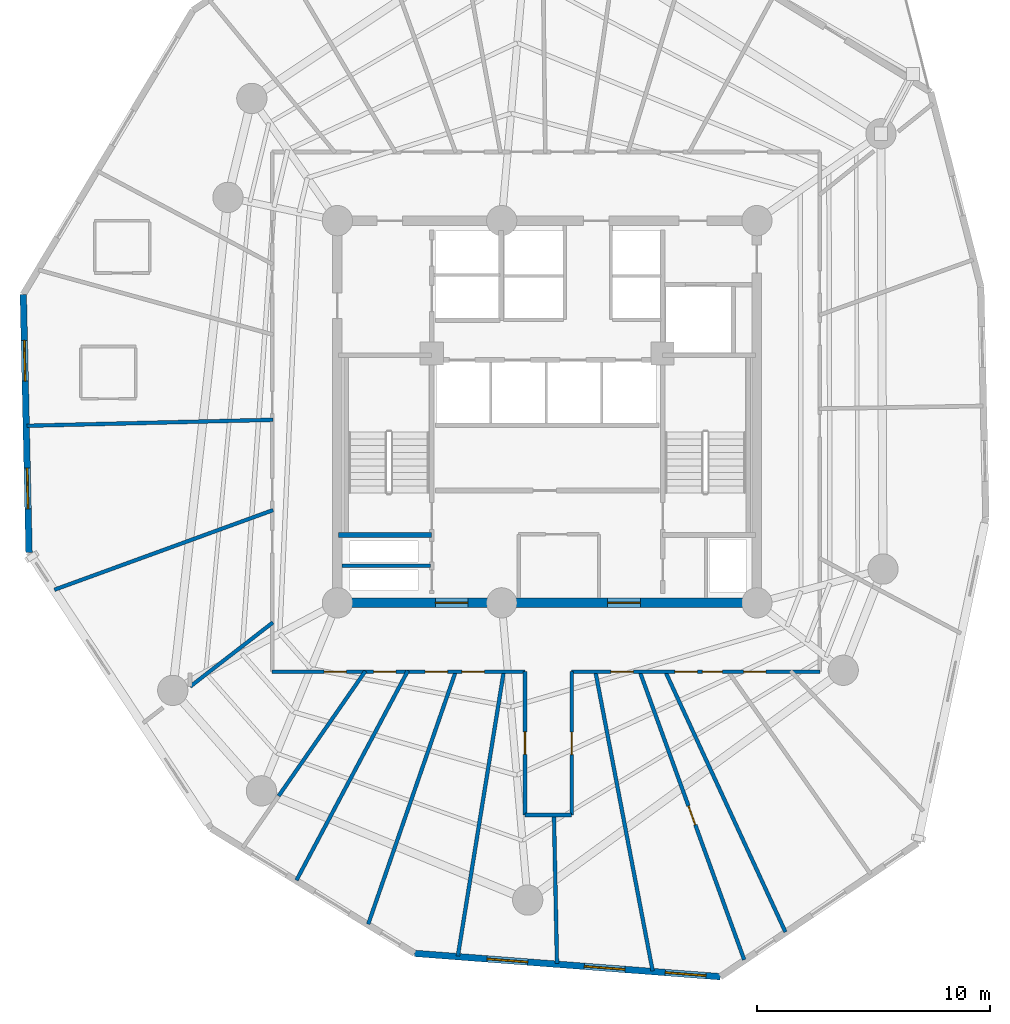
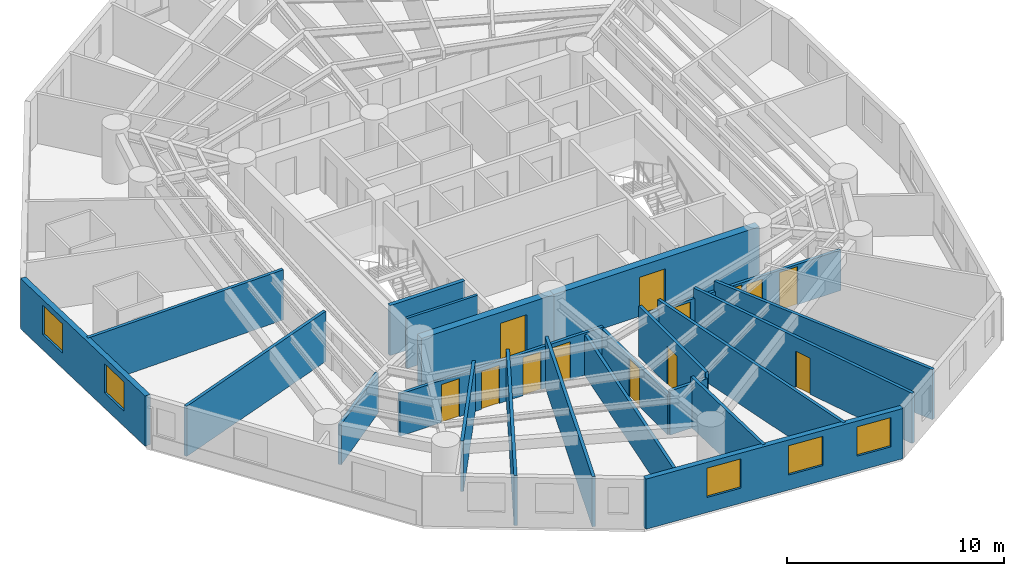
# One storey, part 3 of 9: 22 walls, 13 doors, 5 windows, 18 openings.
"""IFC4 building model written with IfcOpenShell, lengths in metres."""

from ifc_helpers import new_model, si_unit, direction, frame, frame_2d, origin, origin_with_axes, place, context, subcontext, project, spatial, rectangle, extrude, source, transform, mapped, material, layer, layer_set, type_object, element, fill, save


model = new_model("IFC4")

# Units and contexts
model_context = context("Model", 3, precision=1e-05, world=origin(), true_north=direction((0.0, 1.0)))
body_context = subcontext(model_context, "Body", "Model", "MODEL_VIEW")
ifc_project = project(units=[si_unit("LENGTHUNIT", "METRE"), si_unit("AREAUNIT", "SQUARE_METRE"), si_unit("VOLUMEUNIT", "CUBIC_METRE"), si_unit("PLANEANGLEUNIT", "RADIAN"), si_unit("MASSUNIT", "GRAM", prefix="KILO")], contexts=[model_context])

# Site, building, storey
site_placement = place(None, origin())
site = spatial("IfcSite", under=ifc_project, at=site_placement, CompositionType="ELEMENT")
building_placement = place(site_placement, origin())
building = spatial("IfcBuilding", under=site, at=building_placement, Name="Karkom Vertical University and Central Library", CompositionType="ELEMENT")
storey_placement = place(building_placement, frame((0.0, 0.0, 190.10009765625)))
storey = spatial("IfcBuildingStorey", under=building, at=storey_placement, Name="L55", CompositionType="ELEMENT", Elevation=190.10009765625)

# Wall, openings, windows
ifc_material_1 = material(Name="Brick-faced precast concrete C45/55", Category="masonry")
ifc_layer_1 = layer(ifc_material_1, 0.280029296875)
ifc_layer_set_1 = layer_set([ifc_layer_1], Name="Brick-faced precast concrete C45/55")
wall_type_1 = type_object("IfcWallType", Name="ENV-WL-BRK-280", PredefinedType="SOLIDWALL", material=ifc_layer_set_1)
wall_1_placement = place(storey_placement, frame((22.8125, 3.26025390625, 0.0), z_axis=(0.0, 0.0, 1.0), x_axis=(0.997092892989, -0.076195555985, 0.0)))
wall_1 = element("IfcWall", 1, at=wall_1_placement, inside=storey, type_object=wall_type_1, Name="Level 55 Brick-Faced Precast Facade Wall 03", PredefinedType="SOLIDWALL", context=body_context, shape_type="SweptSolid", body=[
    extrude(rectangle(XDim=13.15625, YDim=0.280029296875, at=frame_2d((6.578125, 0.0))), origin(), (0.0, 0.0, 1.0), 2.824951171875),
])
opening_1_placement = place(wall_1_placement, frame((3.117431640625, 0.0, 0.85009765625)))
opening_1 = element("IfcOpeningElement", 2, at=opening_1_placement, cuts=wall_1, Name="Opening WN-08", PredefinedType="OPENING", context=body_context, shape_type="SweptSolid", body=[
    extrude(rectangle(XDim=1.75, YDim=1.64990234375, at=frame_2d((0.875, 0.824951171875))), frame((0.0, 0.14990234375, 0.0), z_axis=(0.0, -1.0, 0.0), x_axis=(1.0, 0.0, 0.0)), (0.0, 0.0, 1.0), 0.300048828125),
])
opening_2_placement = place(wall_1_placement, frame((7.302978515625, 0.0, 0.85009765625)))
opening_2 = element("IfcOpeningElement", 3, at=opening_2_placement, cuts=wall_1, Name="Opening WN-08", PredefinedType="OPENING", context=body_context, shape_type="SweptSolid", body=[
    extrude(rectangle(XDim=1.75, YDim=1.64990234375, at=frame_2d((0.875, 0.824951171875))), frame((0.0, 0.14990234375, 0.0), z_axis=(0.0, -1.0, 0.0), x_axis=(1.0, 0.0, 0.0)), (0.0, 0.0, 1.0), 0.300048828125),
])
opening_3_placement = place(wall_1_placement, frame((10.789794921875, 0.0, 0.85009765625)))
opening_3 = element("IfcOpeningElement", 4, at=opening_3_placement, cuts=wall_1, Name="Opening WN-08", PredefinedType="OPENING", context=body_context, shape_type="SweptSolid", body=[
    extrude(rectangle(XDim=1.75, YDim=1.64990234375, at=frame_2d((0.875, 0.824951171875))), frame((0.0, 0.14990234375, 0.0), z_axis=(0.0, -1.0, 0.0), x_axis=(1.0, 0.0, 0.0)), (0.0, 0.0, 1.0), 0.300048828125),
])
ifc_material_2 = material(Name="Aluminium thermal-break frame with solar-control IGU", Category="aluminium")
window_type = type_object("IfcWindowType", Name="ENV-WIN-WN-08", PartitioningType="SINGLE_PANEL", PredefinedType="WINDOW", material=ifc_material_2)
shared_shape_1 = source(origin_with_axes(), body_context, "Body", "SweptSolid", [
    extrude(rectangle(XDim=1.75, YDim=1.64990234375, at=frame_2d((0.875, 0.824951171875))), frame((0.0, 0.030029296875, 0.0), z_axis=(0.0, -1.0, 0.0), x_axis=(1.0, 0.0, 0.0)), (0.0, 0.0, 1.0), 0.06005859375),
])
window_1_placement = place(opening_1_placement, origin())
window_1 = element("IfcWindow", 5, at=window_1_placement, inside=storey, type_object=window_type, Name="Level 55 Punched Window 3.1", OverallHeight=1.64990234375, OverallWidth=1.75, PartitioningType="SINGLE_PANEL", PredefinedType="WINDOW", context=body_context, shape_type="MappedRepresentation", body=[
    mapped(shared_shape_1, transform((0.0, 0.0, 0.0), scale=1.0)),
])
fill(opening_1, window_1)
window_2_placement = place(opening_2_placement, origin())
window_2 = element("IfcWindow", 6, at=window_2_placement, inside=storey, type_object=window_type, Name="Level 55 Punched Window 3.2", OverallHeight=1.64990234375, OverallWidth=1.75, PartitioningType="SINGLE_PANEL", PredefinedType="WINDOW", context=body_context, shape_type="MappedRepresentation", body=[
    mapped(shared_shape_1, transform((0.0, 0.0, 0.0), scale=1.0)),
])
fill(opening_2, window_2)
window_3_placement = place(opening_3_placement, origin())
window_3 = element("IfcWindow", 7, at=window_3_placement, inside=storey, type_object=window_type, Name="Level 55 Punched Window 3.3", OverallHeight=1.64990234375, OverallWidth=1.75, PartitioningType="SINGLE_PANEL", PredefinedType="WINDOW", context=body_context, shape_type="MappedRepresentation", body=[
    mapped(shared_shape_1, transform((0.0, 0.0, 0.0), scale=1.0)),
])
fill(opening_3, window_3)

wall_2_placement = place(storey_placement, frame((6.021728515625, 31.537109375, 0.0), z_axis=(0.0, 0.0, 1.0), x_axis=(0.022351376458, -0.999750176779, 0.0)))
wall_2 = element("IfcWall", 8, at=wall_2_placement, inside=storey, type_object=wall_type_1, Name="Level 55 Brick-Faced Precast Facade Wall 12", PredefinedType="SOLIDWALL", context=body_context, shape_type="SweptSolid", body=[
    extrude(rectangle(XDim=11.07568359375, YDim=0.280029296875, at=frame_2d((5.537841796875, 0.0))), origin(), (0.0, 0.0, 1.0), 2.824951171875),
])
opening_4_placement = place(wall_2_placement, frame((1.9755859375, 0.0, 0.85009765625)))
opening_4 = element("IfcOpeningElement", 9, at=opening_4_placement, cuts=wall_2, Name="Opening WN-08", PredefinedType="OPENING", context=body_context, shape_type="SweptSolid", body=[
    extrude(rectangle(XDim=1.75, YDim=1.64990234375, at=frame_2d((0.875, 0.824951171875))), frame((0.0, 0.14990234375, 0.0), z_axis=(0.0, -1.0, 0.0), x_axis=(1.0, 0.0, 0.0)), (0.0, 0.0, 1.0), 0.300048828125),
])
opening_5_placement = place(wall_2_placement, frame((7.45361328125, 0.0, 0.85009765625)))
opening_5 = element("IfcOpeningElement", 10, at=opening_5_placement, cuts=wall_2, Name="Opening WN-08", PredefinedType="OPENING", context=body_context, shape_type="SweptSolid", body=[
    extrude(rectangle(XDim=1.75, YDim=1.64990234375, at=frame_2d((0.875, 0.824951171875))), frame((0.0, 0.14990234375, 0.0), z_axis=(0.0, -1.0, 0.0), x_axis=(1.0, 0.0, 0.0)), (0.0, 0.0, 1.0), 0.300048828125),
])
window_4_placement = place(opening_4_placement, origin())
window_4 = element("IfcWindow", 11, at=window_4_placement, inside=storey, type_object=window_type, Name="Level 55 Punched Window 12.1", OverallHeight=1.64990234375, OverallWidth=1.75, PartitioningType="SINGLE_PANEL", PredefinedType="WINDOW", context=body_context, shape_type="MappedRepresentation", body=[
    mapped(shared_shape_1, transform((0.0, 0.0, 0.0), scale=1.0)),
])
fill(opening_4, window_4)
window_5_placement = place(opening_5_placement, origin())
window_5 = element("IfcWindow", 12, at=window_5_placement, inside=storey, type_object=window_type, Name="Level 55 Punched Window 12.2", OverallHeight=1.64990234375, OverallWidth=1.75, PartitioningType="SINGLE_PANEL", PredefinedType="WINDOW", context=body_context, shape_type="MappedRepresentation", body=[
    mapped(shared_shape_1, transform((0.0, 0.0, 0.0), scale=1.0)),
])
fill(opening_5, window_5)

# Wall, opening, door
ifc_material_3 = material(Name="Insulated metal-stud drywall 160mm", Category="gypsum")
ifc_layer_2 = layer(ifc_material_3, 0.159912109375)
ifc_layer_set_2 = layer_set([ifc_layer_2], Name="Insulated metal-stud drywall 160mm")
wall_type_2 = type_object("IfcWallType", Name="INT-WL-COR-160", PredefinedType="PARTITIONING", material=ifc_layer_set_2)
wall_3_placement = place(storey_placement, frame((32.465576171875, 15.378173828125, 0.0), z_axis=(0.0, 0.0, 1.0), x_axis=(0.340636438922, -0.940195094902, 0.0)))
wall_3 = element("IfcWall", 13, at=wall_3_placement, inside=storey, type_object=wall_type_2, Name="Level 55 Interior Partition Wall L55-PW-013", PredefinedType="PARTITIONING", context=body_context, shape_type="SweptSolid", body=[
    extrude(rectangle(XDim=13.181884765625, YDim=0.159912109375, at=frame_2d((6.5908203125, 0.0))), origin(), (0.0, 0.0, 1.0), 2.824951171875),
])
opening_6_placement = place(wall_3_placement, frame((6.160888671875, 0.0, 0.0)))
opening_6 = element("IfcOpeningElement", 14, at=opening_6_placement, cuts=wall_3, Name="Opening FD-BTH2", PredefinedType="OPENING", context=body_context, shape_type="SweptSolid", body=[
    extrude(rectangle(XDim=0.860107421875, YDim=2.0400390625, at=frame_2d((0.43017578125, 1.02001953125))), frame((0.0, 0.08984375, 0.0), z_axis=(0.0, -1.0, 0.0), x_axis=(1.0, 0.0, 0.0)), (0.0, 0.0, 1.0), 0.179931640625),
])
ifc_material_4 = material(Name="Fire-rated moisture-resistant oak door", Category="wood")
door_type_1 = type_object("IfcDoorType", Name="INT-DR-FBTH2", OperationType="NOTDEFINED", PredefinedType="DOOR", material=ifc_material_4)
shared_shape_2 = source(origin_with_axes(), body_context, "Body", "SweptSolid", [
    extrude(rectangle(XDim=0.860107421875, YDim=2.0400390625, at=frame_2d((0.43017578125, 1.02001953125))), frame((0.0, 0.02490234375, 0.0), z_axis=(0.0, -1.0, 0.0), x_axis=(1.0, 0.0, 0.0)), (0.0, 0.0, 1.0), 0.050048828125),
])
door_1_placement = place(opening_6_placement, origin())
door_1 = element("IfcDoor", 15, at=door_1_placement, inside=storey, type_object=door_type_1, Name="Level 55 Scholar Consultation Office Entry Door", OperationType="SINGLE_SWING_LEFT", OverallHeight=2.0400390625, OverallWidth=0.860107421875, PredefinedType="DOOR", context=body_context, shape_type="MappedRepresentation", body=[
    mapped(shared_shape_2, transform((0.0, 0.0, 0.0), scale=1.0)),
])
fill(opening_6, door_1)

# Walls
wall_4_placement = place(storey_placement, frame((30.565673828125, 15.37939453125, 0.0), z_axis=(0.0, 0.0, 1.0), x_axis=(0.187830250317, -0.982201505327, 0.0)))
element("IfcWall", 16, at=wall_4_placement, inside=storey, type_object=wall_type_2, Name="Level 55 Interior Partition Wall L55-PW-012", PredefinedType="PARTITIONING", context=body_context, shape_type="SweptSolid", body=[
    extrude(rectangle(XDim=13.105712890625, YDim=0.159912109375, at=frame_2d((6.552734375, 0.0))), origin(), (0.0, 0.0, 1.0), 2.824951171875),
])
wall_5_placement = place(storey_placement, frame((26.643798828125, 15.379638671875, 0.0), z_axis=(0.0, 0.0, 1.0), x_axis=(-0.159375496457, -0.987218036266, 0.0)))
element("IfcWall", 17, at=wall_5_placement, inside=storey, type_object=wall_type_2, Name="Level 55 Interior Partition Wall L55-PW-010", PredefinedType="PARTITIONING", context=body_context, shape_type="SweptSolid", body=[
    extrude(rectangle(XDim=12.394287109375, YDim=0.159912109375, at=frame_2d((6.197265625, 0.0))), origin(), (0.0, 0.0, 1.0), 2.27490234375),
])
wall_6_placement = place(storey_placement, frame((33.561279296875, 15.377197265625, 0.0), z_axis=(0.0, 0.0, 1.0), x_axis=(0.41866637401, -0.90814011434, 0.0)))
element("IfcWall", 18, at=wall_6_placement, inside=storey, type_object=wall_type_2, Name="Level 55 Interior Partition Wall L55-PW-014", PredefinedType="PARTITIONING", context=body_context, shape_type="SweptSolid", body=[
    extrude(rectangle(XDim=12.329833984375, YDim=0.159912109375, at=frame_2d((6.1650390625, 0.0))), origin(), (0.0, 0.0, 1.0), 2.824951171875),
])
wall_7_placement = place(storey_placement, frame((24.584716796875, 15.37841796875, 0.0), z_axis=(0.0, 0.0, 1.0), x_axis=(-0.327238910926, -0.944941635857, 0.0)))
element("IfcWall", 19, at=wall_7_placement, inside=storey, type_object=wall_type_2, Name="Level 55 Interior Partition Wall L55-PW-009", PredefinedType="PARTITIONING", context=body_context, shape_type="SweptSolid", body=[
    extrude(rectangle(XDim=11.498291015625, YDim=0.159912109375, at=frame_2d((5.7490234375, 0.0))), origin(), (0.0, 0.0, 1.0), 2.824951171875),
])

# Wall, openings, doors
wall_8_placement = place(storey_placement, frame((27.550048828125, 15.35009765625, 0.0), z_axis=(0.0, 0.0, 1.0), x_axis=(-1.0, 0.0, 0.0)))
wall_8 = element("IfcWall", 20, at=wall_8_placement, inside=storey, type_object=wall_type_2, Name="Level 55 Interior Partition Wall L55-CORW-CW-001", PredefinedType="PARTITIONING", context=body_context, shape_type="SweptSolid", body=[
    extrude(rectangle(XDim=10.85009765625, YDim=0.159912109375, at=frame_2d((5.425048828125, 0.0))), origin(), (0.0, 0.0, 1.0), 2.375),
])
opening_7_placement = place(wall_8_placement, frame((7.66259765625, 0.0, 0.0)))
opening_7 = element("IfcOpeningElement", 21, at=opening_7_placement, cuts=wall_8, Name="Opening FD-RM2", PredefinedType="OPENING", context=body_context, shape_type="SweptSolid", body=[
    extrude(rectangle(XDim=0.9599609375, YDim=2.14990234375, at=frame_2d((0.47998046875, 1.074951171875))), frame((0.0, 0.08984375, 0.0), z_axis=(0.0, -1.0, 0.0), x_axis=(1.0, 0.0, 0.0)), (0.0, 0.0, 1.0), 0.179931640625),
])
opening_8_placement = place(wall_8_placement, frame((5.5400390625, 0.0, 0.0)))
opening_8 = element("IfcOpeningElement", 22, at=opening_8_placement, cuts=wall_8, Name="Opening FD-RM2", PredefinedType="OPENING", context=body_context, shape_type="SweptSolid", body=[
    extrude(rectangle(XDim=0.9599609375, YDim=2.14990234375, at=frame_2d((0.47998046875, 1.074951171875))), frame((0.0, 0.08984375, 0.0), z_axis=(0.0, -1.0, 0.0), x_axis=(1.0, 0.0, 0.0)), (0.0, 0.0, 1.0), 0.179931640625),
])
opening_9_placement = place(wall_8_placement, frame((3.322509765625, 0.0, 0.0)))
opening_9 = element("IfcOpeningElement", 23, at=opening_9_placement, cuts=wall_8, Name="Opening FD-RM2", PredefinedType="OPENING", context=body_context, shape_type="SweptSolid", body=[
    extrude(rectangle(XDim=0.9599609375, YDim=2.14990234375, at=frame_2d((0.47998046875, 1.074951171875))), frame((0.0, 0.08984375, 0.0), z_axis=(0.0, -1.0, 0.0), x_axis=(1.0, 0.0, 0.0)), (0.0, 0.0, 1.0), 0.179931640625),
])
opening_10_placement = place(wall_8_placement, frame((1.74755859375, 0.0, 0.0)))
opening_10 = element("IfcOpeningElement", 24, at=opening_10_placement, cuts=wall_8, Name="Opening FD-RM2", PredefinedType="OPENING", context=body_context, shape_type="SweptSolid", body=[
    extrude(rectangle(XDim=0.9599609375, YDim=2.14990234375, at=frame_2d((0.47998046875, 1.074951171875))), frame((0.0, 0.08984375, 0.0), z_axis=(0.0, -1.0, 0.0), x_axis=(1.0, 0.0, 0.0)), (0.0, 0.0, 1.0), 0.179931640625),
])
ifc_material_5 = material(Name="Fire-rated oak veneer door", Category="wood")
door_type_2 = type_object("IfcDoorType", Name="INT-DR-FRM2", OperationType="NOTDEFINED", PredefinedType="DOOR", material=ifc_material_5)
shared_shape_3 = source(origin_with_axes(), body_context, "Body", "SweptSolid", [
    extrude(rectangle(XDim=0.9599609375, YDim=2.14990234375, at=frame_2d((0.47998046875, 1.074951171875))), frame((0.0, 0.02490234375, 0.0), z_axis=(0.0, -1.0, 0.0), x_axis=(1.0, 0.0, 0.0)), (0.0, 0.0, 1.0), 0.050048828125),
])
door_2_placement = place(opening_7_placement, origin())
door_2 = element("IfcDoor", 25, at=door_2_placement, inside=storey, type_object=door_type_2, Name="Level 55 Room Entry Door 021", OperationType="SINGLE_SWING_RIGHT", OverallHeight=2.14990234375, OverallWidth=0.9599609375, PredefinedType="DOOR", context=body_context, shape_type="MappedRepresentation", body=[
    mapped(shared_shape_3, transform((0.0, 0.0, 0.0), scale=1.0)),
])
fill(opening_7, door_2)
door_3_placement = place(opening_8_placement, origin())
door_3 = element("IfcDoor", 26, at=door_3_placement, inside=storey, type_object=door_type_2, Name="Level 55 Room Entry Door 031", OperationType="SINGLE_SWING_LEFT", OverallHeight=2.14990234375, OverallWidth=0.9599609375, PredefinedType="DOOR", context=body_context, shape_type="MappedRepresentation", body=[
    mapped(shared_shape_3, transform((0.0, 0.0, 0.0), scale=1.0)),
])
fill(opening_8, door_3)
door_4_placement = place(opening_9_placement, origin())
door_4 = element("IfcDoor", 27, at=door_4_placement, inside=storey, type_object=door_type_2, Name="Level 55 Room Entry Door 041", OperationType="SINGLE_SWING_RIGHT", OverallHeight=2.14990234375, OverallWidth=0.9599609375, PredefinedType="DOOR", context=body_context, shape_type="MappedRepresentation", body=[
    mapped(shared_shape_3, transform((0.0, 0.0, 0.0), scale=1.0)),
])
fill(opening_9, door_4)
door_5_placement = place(opening_10_placement, origin())
door_5 = element("IfcDoor", 28, at=door_5_placement, inside=storey, type_object=door_type_2, Name="Level 55 Room Entry Door 051", OperationType="SINGLE_SWING_LEFT", OverallHeight=2.14990234375, OverallWidth=0.9599609375, PredefinedType="DOOR", context=body_context, shape_type="MappedRepresentation", body=[
    mapped(shared_shape_3, transform((0.0, 0.0, 0.0), scale=1.0)),
])
fill(opening_10, door_5)

wall_9_placement = place(storey_placement, frame((40.199951171875, 15.35009765625, 0.0), z_axis=(0.0, 0.0, 1.0), x_axis=(-1.0, 0.0, 0.0)))
wall_9 = element("IfcWall", 29, at=wall_9_placement, inside=storey, type_object=wall_type_2, Name="Level 55 Interior Partition Wall L55-CORW-CW-005", PredefinedType="PARTITIONING", context=body_context, shape_type="SweptSolid", body=[
    extrude(rectangle(XDim=10.64990234375, YDim=0.159912109375, at=frame_2d((5.324951171875, 0.0))), origin(), (0.0, 0.0, 1.0), 2.27490234375),
])
opening_11_placement = place(wall_9_placement, frame((8.00244140625, 0.0, 0.0)))
opening_11 = element("IfcOpeningElement", 30, at=opening_11_placement, cuts=wall_9, Name="Opening FD-RM2", PredefinedType="OPENING", context=body_context, shape_type="SweptSolid", body=[
    extrude(rectangle(XDim=0.9599609375, YDim=2.14990234375, at=frame_2d((0.47998046875, 1.074951171875))), frame((0.0, 0.08984375, 0.0), z_axis=(0.0, -1.0, 0.0), x_axis=(1.0, 0.0, 0.0)), (0.0, 0.0, 1.0), 0.179931640625),
])
opening_12_placement = place(wall_9_placement, frame((5.257568359375, 0.0, 0.0)))
opening_12 = element("IfcOpeningElement", 31, at=opening_12_placement, cuts=wall_9, Name="Opening FD-RM2", PredefinedType="OPENING", context=body_context, shape_type="SweptSolid", body=[
    extrude(rectangle(XDim=0.9599609375, YDim=2.14990234375, at=frame_2d((0.47998046875, 1.074951171875))), frame((0.0, 0.08984375, 0.0), z_axis=(0.0, -1.0, 0.0), x_axis=(1.0, 0.0, 0.0)), (0.0, 0.0, 1.0), 0.179931640625),
])
opening_13_placement = place(wall_9_placement, frame((2.31005859375, 0.0, 0.0)))
opening_13 = element("IfcOpeningElement", 32, at=opening_13_placement, cuts=wall_9, Name="Opening FD-RM2", PredefinedType="OPENING", context=body_context, shape_type="SweptSolid", body=[
    extrude(rectangle(XDim=0.9599609375, YDim=2.14990234375, at=frame_2d((0.47998046875, 1.074951171875))), frame((0.0, 0.08984375, 0.0), z_axis=(0.0, -1.0, 0.0), x_axis=(1.0, 0.0, 0.0)), (0.0, 0.0, 1.0), 0.179931640625),
])
opening_14_placement = place(wall_9_placement, frame((4.177490234375, 0.0, 0.0)))
opening_14 = element("IfcOpeningElement", 33, at=opening_14_placement, cuts=wall_9, Name="Opening FD-BTH1", PredefinedType="OPENING", context=body_context, shape_type="SweptSolid", body=[
    extrude(rectangle(XDim=0.860107421875, YDim=2.10009765625, at=frame_2d((0.43017578125, 1.050048828125))), frame((0.0, 0.08984375, 0.0), z_axis=(0.0, -1.0, 0.0), x_axis=(1.0, 0.0, 0.0)), (0.0, 0.0, 1.0), 0.179931640625),
])
door_6_placement = place(opening_11_placement, origin())
door_6 = element("IfcDoor", 34, at=door_6_placement, inside=storey, type_object=door_type_2, Name="Level 55 Room Entry Door 081", OperationType="SINGLE_SWING_RIGHT", OverallHeight=2.14990234375, OverallWidth=0.9599609375, PredefinedType="DOOR", context=body_context, shape_type="MappedRepresentation", body=[
    mapped(shared_shape_3, transform((0.0, 0.0, 0.0), scale=1.0)),
])
fill(opening_11, door_6)
door_7_placement = place(opening_12_placement, origin())
door_7 = element("IfcDoor", 35, at=door_7_placement, inside=storey, type_object=door_type_2, Name="Level 55 Room Entry Door 091", OperationType="SINGLE_SWING_LEFT", OverallHeight=2.14990234375, OverallWidth=0.9599609375, PredefinedType="DOOR", context=body_context, shape_type="MappedRepresentation", body=[
    mapped(shared_shape_3, transform((0.0, 0.0, 0.0), scale=1.0)),
])
fill(opening_12, door_7)
door_8_placement = place(opening_13_placement, origin())
door_8 = element("IfcDoor", 36, at=door_8_placement, inside=storey, type_object=door_type_2, Name="Level 55 Room Entry Door 101", OperationType="SINGLE_SWING_RIGHT", OverallHeight=2.14990234375, OverallWidth=0.9599609375, PredefinedType="DOOR", context=body_context, shape_type="MappedRepresentation", body=[
    mapped(shared_shape_3, transform((0.0, 0.0, 0.0), scale=1.0)),
])
fill(opening_13, door_8)
door_type_3 = type_object("IfcDoorType", Name="INT-DR-FBTH1", OperationType="NOTDEFINED", PredefinedType="DOOR", material=ifc_material_4)
shared_shape_4 = source(origin_with_axes(), body_context, "Body", "SweptSolid", [
    extrude(rectangle(XDim=0.860107421875, YDim=2.10009765625, at=frame_2d((0.43017578125, 1.050048828125))), frame((0.0, 0.02490234375, 0.0), z_axis=(0.0, -1.0, 0.0), x_axis=(1.0, 0.0, 0.0)), (0.0, 0.0, 1.0), 0.050048828125),
])
door_9_placement = place(opening_14_placement, origin())
door_9 = element("IfcDoor", 37, at=door_9_placement, inside=storey, type_object=door_type_3, Name="Level 55 Room Entry Door 111", OperationType="SINGLE_SWING_LEFT", OverallHeight=2.10009765625, OverallWidth=0.860107421875, PredefinedType="DOOR", context=body_context, shape_type="MappedRepresentation", body=[
    mapped(shared_shape_4, transform((0.0, 0.0, 0.0), scale=1.0)),
])
fill(opening_14, door_9)

# Walls
wall_10_placement = place(storey_placement, frame((6.1728515625, 25.897705078125, 0.0), z_axis=(0.0, 0.0, 1.0), x_axis=(0.999705046688, 0.024286202409, 0.0)))
element("IfcWall", 38, at=wall_10_placement, inside=storey, type_object=wall_type_2, Name="Level 55 Interior Partition Wall L55-PW-002", PredefinedType="PARTITIONING", context=body_context, shape_type="SweptSolid", body=[
    extrude(rectangle(XDim=10.575439453125, YDim=0.159912109375, at=frame_2d((5.28759765625, 0.0))), origin(), (0.0, 0.0, 1.0), 2.824951171875),
])
wall_11_placement = place(storey_placement, frame((22.52490234375, 15.3896484375, 0.0), z_axis=(0.0, 0.0, 1.0), x_axis=(-0.469441564183, -0.882963542746, 0.0)))
element("IfcWall", 39, at=wall_11_placement, inside=storey, type_object=wall_type_2, Name="Level 55 Interior Partition Wall L55-PW-008", PredefinedType="PARTITIONING", context=body_context, shape_type="SweptSolid", body=[
    extrude(rectangle(XDim=10.181396484375, YDim=0.159912109375, at=frame_2d((5.0908203125, 0.0))), origin(), (0.0, 0.0, 1.0), 2.824951171875),
])
wall_12_placement = place(storey_placement, frame((16.7421875, 22.28076171875, 0.0), z_axis=(0.0, 0.0, 1.0), x_axis=(-0.939600572321, -0.342272938593, 0.0)))
element("IfcWall", 40, at=wall_12_placement, inside=storey, type_object=wall_type_2, Name="Level 55 Interior Partition Wall L55-PW-001", PredefinedType="PARTITIONING", context=body_context, shape_type="SweptSolid", body=[
    extrude(rectangle(XDim=9.987548828125, YDim=0.159912109375, at=frame_2d((4.99365234375, 0.0))), origin(), (0.0, 0.0, 1.0), 2.824951171875),
])
wall_13_placement = place(storey_placement, frame((20.70166015625, 15.37451171875, 0.0), z_axis=(0.0, 0.0, 1.0), x_axis=(-0.570371261256, -0.821387012518, 0.0)))
element("IfcWall", 41, at=wall_13_placement, inside=storey, type_object=wall_type_2, Name="Level 55 Interior Partition Wall L55-PW-006", PredefinedType="PARTITIONING", context=body_context, shape_type="SweptSolid", body=[
    extrude(rectangle(XDim=6.523193359375, YDim=0.159912109375, at=frame_2d((3.26171875, 0.0))), origin(), (0.0, 0.0, 1.0), 2.824951171875),
])
wall_14_placement = place(storey_placement, frame((28.791748046875, 9.22998046875, 0.0), z_axis=(0.0, 0.0, 1.0), x_axis=(0.020368189048, -0.999792546919, 0.0)))
element("IfcWall", 42, at=wall_14_placement, inside=storey, type_object=wall_type_2, Name="Level 55 Interior Partition Wall L55-PW-011", PredefinedType="PARTITIONING", context=body_context, shape_type="SweptSolid", body=[
    extrude(rectangle(XDim=6.41259765625, YDim=0.159912109375, at=frame_2d((3.206298828125, 0.0))), origin(), (0.0, 0.0, 1.0), 2.824951171875),
])

# Wall, opening, door
wall_15_placement = place(storey_placement, frame((29.550048828125, 15.35009765625, 0.0), z_axis=(0.0, 0.0, 1.0), x_axis=(0.0, -1.0, 0.0)))
wall_15 = element("IfcWall", 43, at=wall_15_placement, inside=storey, type_object=wall_type_2, Name="Level 55 Interior Partition Wall L55-CORW-CW-006", PredefinedType="PARTITIONING", context=body_context, shape_type="SweptSolid", body=[
    extrude(rectangle(XDim=6.150146484375, YDim=0.159912109375, at=frame_2d((3.0751953125, 0.0))), origin(), (0.0, 0.0, 1.0), 2.824951171875),
])
opening_15_placement = place(wall_15_placement, frame((2.60009765625, 0.0, 0.0)))
opening_15 = element("IfcOpeningElement", 44, at=opening_15_placement, cuts=wall_15, Name="Opening FD-RM2", PredefinedType="OPENING", context=body_context, shape_type="SweptSolid", body=[
    extrude(rectangle(XDim=0.9599609375, YDim=2.14990234375, at=frame_2d((0.47998046875, 1.074951171875))), frame((0.0, 0.08984375, 0.0), z_axis=(0.0, -1.0, 0.0), x_axis=(1.0, 0.0, 0.0)), (0.0, 0.0, 1.0), 0.179931640625),
])
door_10_placement = place(opening_15_placement, origin())
door_10 = element("IfcDoor", 45, at=door_10_placement, inside=storey, type_object=door_type_2, Name="Level 55 Room Entry Door 071", OperationType="SINGLE_SWING_LEFT", OverallHeight=2.14990234375, OverallWidth=0.9599609375, PredefinedType="DOOR", context=body_context, shape_type="MappedRepresentation", body=[
    mapped(shared_shape_3, transform((0.0, 0.0, 0.0), scale=1.0)),
])
fill(opening_15, door_10)

wall_16_placement = place(storey_placement, frame((27.550048828125, 9.199951171875, 0.0), z_axis=(0.0, 0.0, 1.0), x_axis=(0.0, 1.0, 0.0)))
wall_16 = element("IfcWall", 46, at=wall_16_placement, inside=storey, type_object=wall_type_2, Name="Level 55 Interior Partition Wall L55-CORW-CW-008", PredefinedType="PARTITIONING", context=body_context, shape_type="SweptSolid", body=[
    extrude(rectangle(XDim=6.150146484375, YDim=0.159912109375, at=frame_2d((3.0751953125, 0.0))), origin(), (0.0, 0.0, 1.0), 2.27490234375),
])
opening_16_placement = place(wall_16_placement, frame((2.60009765625, 0.0, 0.0)))
opening_16 = element("IfcOpeningElement", 47, at=opening_16_placement, cuts=wall_16, Name="Opening FD-RM2", PredefinedType="OPENING", context=body_context, shape_type="SweptSolid", body=[
    extrude(rectangle(XDim=0.9599609375, YDim=2.14990234375, at=frame_2d((0.47998046875, 1.074951171875))), frame((0.0, 0.08984375, 0.0), z_axis=(0.0, -1.0, 0.0), x_axis=(1.0, 0.0, 0.0)), (0.0, 0.0, 1.0), 0.179931640625),
])
door_11_placement = place(opening_16_placement, origin())
door_11 = element("IfcDoor", 48, at=door_11_placement, inside=storey, type_object=door_type_2, Name="Level 55 Room Entry Door 061", OperationType="SINGLE_SWING_RIGHT", OverallHeight=2.14990234375, OverallWidth=0.9599609375, PredefinedType="DOOR", context=body_context, shape_type="MappedRepresentation", body=[
    mapped(shared_shape_3, transform((0.0, 0.0, 0.0), scale=1.0)),
])
fill(opening_16, door_11)

# Walls
wall_17_placement = place(storey_placement, frame((16.735595703125, 17.461181640625, 0.0), z_axis=(0.0, 0.0, 1.0), x_axis=(-0.790506924832, -0.612453101708, 0.0)))
element("IfcWall", 49, at=wall_17_placement, inside=storey, type_object=wall_type_2, Name="Level 55 Interior Partition Wall L55-PW-003", PredefinedType="PARTITIONING", context=body_context, shape_type="SweptSolid", body=[
    extrude(rectangle(XDim=4.5029296875, YDim=0.159912109375, at=frame_2d((2.25146484375, 0.0))), origin(), (0.0, 0.0, 1.0), 2.27490234375),
])
wall_18_placement = place(storey_placement, frame((29.550048828125, 9.199951171875, 0.0), z_axis=(0.0, 0.0, 1.0), x_axis=(-1.0, 0.0, 0.0)))
element("IfcWall", 50, at=wall_18_placement, inside=storey, type_object=wall_type_2, Name="Level 55 Interior Partition Wall L55-CORW-CW-007", PredefinedType="PARTITIONING", context=body_context, shape_type="SweptSolid", body=[
    extrude(rectangle(XDim=2.0, YDim=0.159912109375, at=frame_2d((1.0, 0.0))), origin(), (0.0, 0.0, 1.0), 2.494873046875),
])
ifc_material_6 = material(Name="Metal-stud gypsum partition 140mm", Category="gypsum")
ifc_layer_3 = layer(ifc_material_6, 0.139892578125)
ifc_layer_set_3 = layer_set([ifc_layer_3], Name="Metal-stud gypsum partition 140mm")
wall_type_3 = type_object("IfcWallType", Name="INT-WL-SUB-140H", PredefinedType="PARTITIONING", material=ifc_layer_set_3)
wall_19_placement = place(storey_placement, frame((19.70703125, 19.889892578125, 0.0), z_axis=(0.0, 0.0, 1.0), x_axis=(1.0, 0.0, 0.0)))
element("IfcWall", 51, at=wall_19_placement, inside=storey, type_object=wall_type_3, Name="Level 55 Interior Partition Wall L55-CW-RIS-W", PredefinedType="PARTITIONING", context=body_context, shape_type="SweptSolid", body=[
    extrude(rectangle(XDim=3.789794921875, YDim=0.139892578125, at=frame_2d((1.89501953125, 0.0))), origin(), (0.0, 0.0, 1.0), 2.824951171875),
])

# Wall, opening, door
ifc_material_7 = material(Name="Concrete C50/60", Category="concrete")
ifc_layer_4 = layer(ifc_material_7, 0.39990234375)
ifc_layer_set_4 = layer_set([ifc_layer_4], Name="Concrete C50/60")
wall_type_4 = type_object("IfcWallType", Name="STR-WL-CW-400", PredefinedType="SHEAR", material=ifc_layer_set_4)
wall_20_placement = place(storey_placement, frame((19.5, 18.300048828125, 0.0), z_axis=(0.0, 0.0, 1.0), x_axis=(1.0, 0.0, 0.0)))
wall_20 = element("IfcWall", 52, at=wall_20_placement, inside=storey, type_object=wall_type_4, Name="Level 55 Central Core Shear Wall SW1", PredefinedType="SHEAR", context=body_context, shape_type="SweptSolid", body=[
    extrude(rectangle(XDim=7.050048828125, YDim=0.39990234375, at=frame_2d((3.52490234375, 0.0))), origin(), (0.0, 0.0, 1.0), 2.824951171875),
])
opening_17_placement = place(wall_20_placement, frame((4.199951171875, 0.0, 0.0)))
opening_17 = element("IfcOpeningElement", 53, at=opening_17_placement, cuts=wall_20, Name="Opening FD-CLB", PredefinedType="OPENING", context=body_context, shape_type="SweptSolid", body=[
    extrude(rectangle(XDim=1.39990234375, YDim=2.199951171875, at=frame_2d((0.699951171875, 1.10009765625))), frame((0.0, 0.2099609375, 0.0), z_axis=(0.0, -1.0, 0.0), x_axis=(1.0, 0.0, 0.0)), (0.0, 0.0, 1.0), 0.419921875),
])
ifc_material_8 = material(Name="Painted steel fire door", Category="steel")
door_type_4 = type_object("IfcDoorType", Name="INT-DR-CLB", OperationType="DOUBLE_DOOR_SINGLE_SWING", PredefinedType="DOOR", material=ifc_material_8)
shared_shape_5 = source(origin_with_axes(), body_context, "Body", "SweptSolid", [
    extrude(rectangle(XDim=1.39990234375, YDim=2.199951171875, at=frame_2d((0.699951171875, 1.10009765625))), frame((0.0, 0.02490234375, 0.0), z_axis=(0.0, -1.0, 0.0), x_axis=(1.0, 0.0, 0.0)), (0.0, 0.0, 1.0), 0.050048828125),
])
door_12_placement = place(opening_17_placement, origin())
door_12 = element("IfcDoor", 54, at=door_12_placement, inside=storey, type_object=door_type_4, Name="Level 55 South Core Lobby West Exit Door", OperationType="DOUBLE_DOOR_SINGLE_SWING", OverallHeight=2.199951171875, OverallWidth=1.39990234375, PredefinedType="DOOR", context=body_context, shape_type="MappedRepresentation", body=[
    mapped(shared_shape_5, transform((0.0, 0.0, 0.0), scale=1.0)),
])
fill(opening_17, door_12)

wall_21_placement = place(storey_placement, frame((26.550048828125, 18.300048828125, 0.0), z_axis=(0.0, 0.0, 1.0), x_axis=(1.0, 0.0, 0.0)))
wall_21 = element("IfcWall", 55, at=wall_21_placement, inside=storey, type_object=wall_type_4, Name="Level 55 Central Core Shear Wall SW2", PredefinedType="SHEAR", context=body_context, shape_type="SweptSolid", body=[
    extrude(rectangle(XDim=10.949951171875, YDim=0.39990234375, at=frame_2d((5.47509765625, 0.0))), origin(), (0.0, 0.0, 1.0), 2.824951171875),
])
opening_18_placement = place(wall_21_placement, frame((4.550048828125, 0.0, 0.0)))
opening_18 = element("IfcOpeningElement", 56, at=opening_18_placement, cuts=wall_21, Name="Opening FD-CLB", PredefinedType="OPENING", context=body_context, shape_type="SweptSolid", body=[
    extrude(rectangle(XDim=1.39990234375, YDim=2.199951171875, at=frame_2d((0.699951171875, 1.10009765625))), frame((0.0, 0.2099609375, 0.0), z_axis=(0.0, -1.0, 0.0), x_axis=(1.0, 0.0, 0.0)), (0.0, 0.0, 1.0), 0.419921875),
])
door_13_placement = place(opening_18_placement, origin())
door_13 = element("IfcDoor", 57, at=door_13_placement, inside=storey, type_object=door_type_4, Name="Level 55 South Core Lobby East Exit Door", OperationType="DOUBLE_DOOR_SINGLE_SWING", OverallHeight=2.199951171875, OverallWidth=1.39990234375, PredefinedType="DOOR", context=body_context, shape_type="MappedRepresentation", body=[
    mapped(shared_shape_5, transform((0.0, 0.0, 0.0), scale=1.0)),
])
fill(opening_18, door_13)

# Wall
ifc_material_9 = material(Name="Concrete C45/55", Category="concrete")
ifc_layer_5 = layer(ifc_material_9, 0.199951171875)
ifc_layer_set_5 = layer_set([ifc_layer_5], Name="Concrete C45/55")
wall_type_5 = type_object("IfcWallType", Name="STR-WL-ST-200", PredefinedType="SHEAR", material=ifc_layer_set_5)
wall_22_placement = place(storey_placement, frame((19.550048828125, 21.215087890625, 0.0), z_axis=(0.0, 0.0, 1.0), x_axis=(1.0, 0.0, 0.0)))
element("IfcWall", 58, at=wall_22_placement, inside=storey, type_object=wall_type_5, Name="Level 55 Core Shaft Wall L55-CW-ST1-S", PredefinedType="SHEAR", context=body_context, shape_type="SweptSolid", body=[
    extrude(rectangle(XDim=3.994873046875, YDim=0.199951171875, at=frame_2d((1.99755859375, 0.0))), origin(), (0.0, 0.0, 1.0), 2.824951171875),
])

save(model, "model.ifc")
